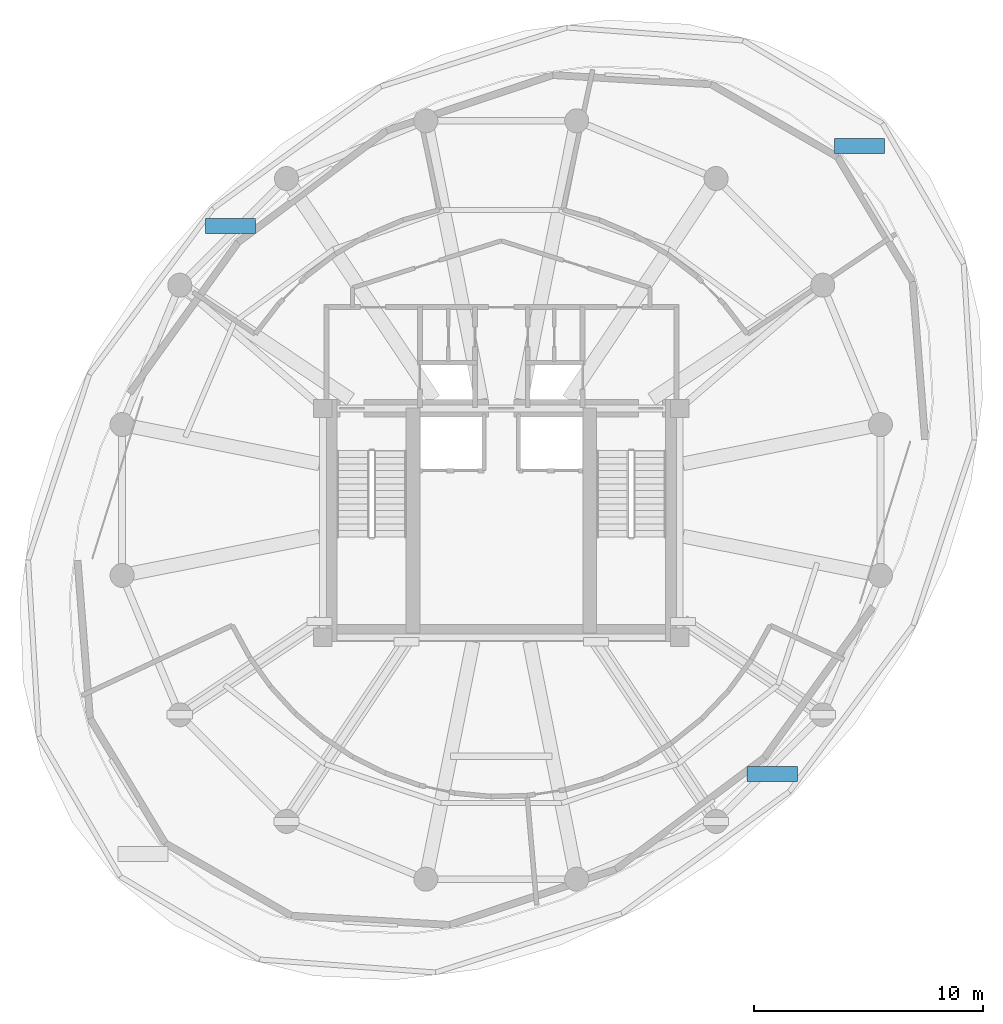
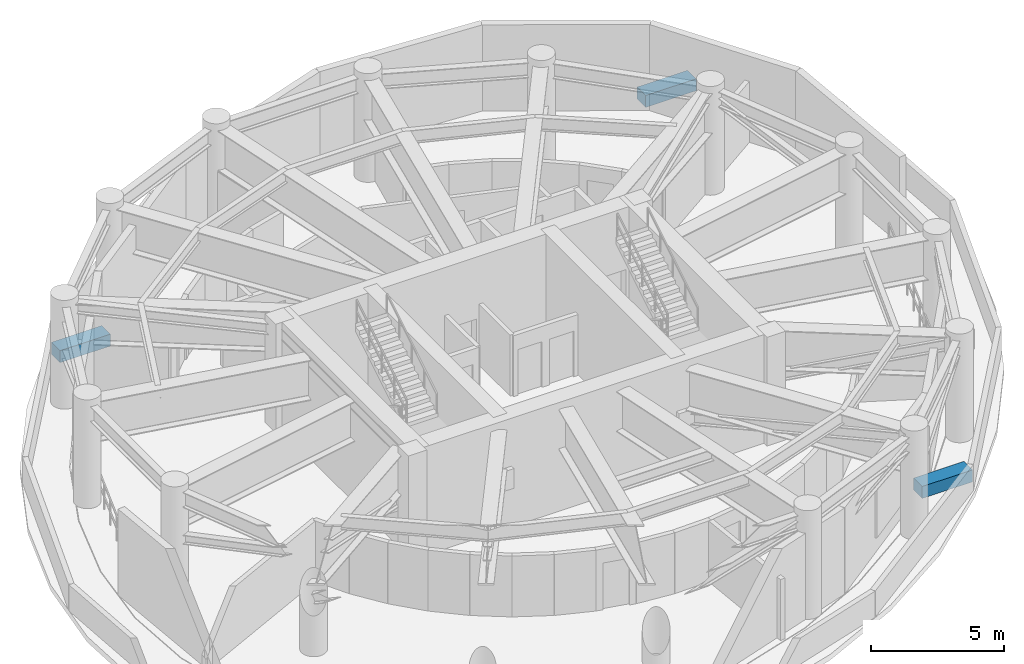
# One storey, part 5 of 6: 3 discrete accessories.
"""IFC4 building model written with IfcOpenShell, lengths in metres."""

from ifc_helpers import new_model, si_unit, direction, frame, origin, origin_2d, place, context, subcontext, project, spatial, rectangle, extrude, material, type_object, element, save


model = new_model("IFC4")

# Units and contexts
model_context = context("Model", 3, precision=1e-05, world=origin(), true_north=direction((0.0, 1.0)))
body_context = subcontext(model_context, "Body", "Model", "MODEL_VIEW")
ifc_project = project(units=[si_unit("LENGTHUNIT", "METRE"), si_unit("AREAUNIT", "SQUARE_METRE"), si_unit("VOLUMEUNIT", "CUBIC_METRE"), si_unit("PLANEANGLEUNIT", "RADIAN"), si_unit("MASSUNIT", "GRAM", prefix="KILO"), si_unit("THERMODYNAMICTEMPERATUREUNIT", "KELVIN"), si_unit("POWERUNIT", "WATT")], contexts=[model_context])

# Site, building, storey
site_placement = place(None, origin())
site = spatial("IfcSite", under=ifc_project, at=site_placement, CompositionType="ELEMENT")
building_placement = place(site_placement, origin())
building = spatial("IfcBuilding", under=site, at=building_placement, Name="Ocrelia Relay Tower", CompositionType="ELEMENT")
storey_placement = place(building_placement, frame((0.0, 0.0, 220.39990234375)))
storey = spatial("IfcBuildingStorey", under=building, at=storey_placement, Name="L54", CompositionType="ELEMENT", Elevation=220.39990234375)

# Discrete accessories
ifc_material = material(Name="Precast concrete C40/50 planter with highland greenery", Category="concrete")
discrete_accessory_type = type_object("IfcDiscreteAccessoryType", Name="ACC-BALC-PLANTER", PredefinedType="USERDEFINED", material=ifc_material)
for number, where, z_axis, x_axis, name in (
    (1, (49.66162109375, 41.471435546875, 0.0), (0.0, 0.0, 1.0), (1.0, 0.0, 0.0), "L54 Setback Green Roof Planter 0"),
    (2, (22.161865234375, 37.983642578125, 0.0), (0.0, 0.0, 1.0), (1.0, 0.0, 0.0), "L54 Setback Green Roof Planter 4"),
    (3, (45.838134765625, 14.016357421875, 0.0), (0.0, 0.0, 1.0), (1.0, 0.0, 0.0), "L54 Setback Green Roof Planter 12"),
):
    element("IfcDiscreteAccessory", number, at=place(storey_placement, frame(where, z_axis=z_axis, x_axis=x_axis)), inside=storey, type_object=discrete_accessory_type, Name=name, ObjectType="PLANTER", PredefinedType="USERDEFINED", context=body_context, shape_type="SweptSolid", body=[
        extrude(rectangle(XDim=2.199951171875, YDim=0.64990234375, at=origin_2d()), origin(), (0.0, 0.0, 1.0), 0.550048828125),
    ])

save(model, "model.ifc")
